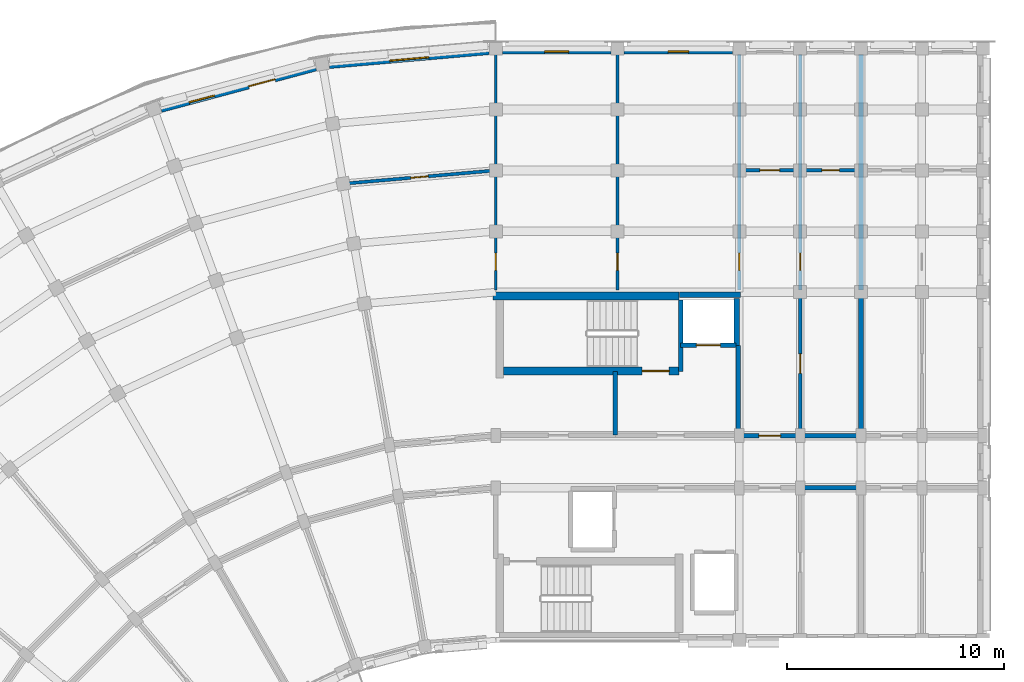
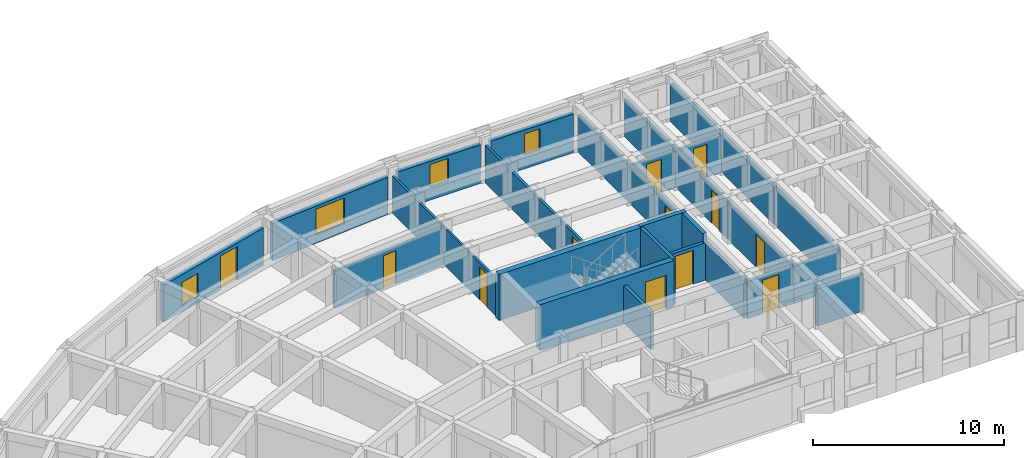
# One storey, part 26 of 53: 25 walls, 12 doors, 4 windows, 16 openings.
"""IFC4 building model written with IfcOpenShell, lengths in metres."""

from ifc_helpers import new_model, si_unit, direction, frame, frame_2d, origin, place, context, subcontext, project, spatial, rectangle, extrude, material, layer, layer_set, type_object, element, fill, save


model = new_model("IFC4")

# Units and contexts
model_context = context("Model", 3, precision=1e-05, world=origin(), true_north=direction((0.0, 1.0)))
body_context = subcontext(model_context, "Body", "Model", "MODEL_VIEW")
ifc_project = project(units=[si_unit("LENGTHUNIT", "METRE"), si_unit("AREAUNIT", "SQUARE_METRE"), si_unit("VOLUMEUNIT", "CUBIC_METRE"), si_unit("PLANEANGLEUNIT", "RADIAN"), si_unit("MASSUNIT", "GRAM", prefix="KILO")], contexts=[model_context])

# Site, building, storey
site_placement = place(None, origin())
site = spatial("IfcSite", under=ifc_project, at=site_placement, CompositionType="ELEMENT")
building_placement = place(site_placement, origin())
building = spatial("IfcBuilding", under=site, at=building_placement, Name="Kiranvali Square Residences", CompositionType="ELEMENT")
storey_placement = place(building_placement, frame((0.0, 0.0, 30.75)))
storey = spatial("IfcBuildingStorey", under=building, at=storey_placement, Name="L09", CompositionType="ELEMENT", Elevation=30.75)

# Wall, opening, door
ifc_material_1 = material(Name="Autoclaved aerated concrete blockwork masonry", Category="masonry")
ifc_layer_1 = layer(ifc_material_1, 0.199951171875)
ifc_layer_set_1 = layer_set([ifc_layer_1], Name="Autoclaved aerated concrete blockwork masonry")
wall_type_1 = type_object("IfcWallType", Name="WL-COR-200", PredefinedType="STANDARD", material=ifc_layer_set_1)
wall_1_placement = place(storey_placement, frame((59.39990234375, 116.0, 0.0), z_axis=(0.0, 0.0, 1.0), x_axis=(1.0, 0.0, 0.0)))
wall_1 = element("IfcWall", 1, at=wall_1_placement, inside=storey, type_object=wall_type_1, Name="L09 architectural wall WL-L09-A-A1CO-0", PredefinedType="STANDARD", context=body_context, shape_type="SweptSolid", body=[
    extrude(rectangle(XDim=2.800048828125, YDim=0.199951171875, at=frame_2d((1.39990234375, 0.0))), origin(), (0.0, 0.0, 1.0), 2.3720703125),
])
opening_1_placement = place(wall_1_placement, frame((0.89990234375, 0.0, 0.0)))
opening_1 = element("IfcOpeningElement", 2, at=opening_1_placement, cuts=wall_1, Name="Opening FD-APT-60", PredefinedType="OPENING", context=body_context, shape_type="SweptSolid", body=[
    extrude(rectangle(XDim=1.0, YDim=2.14990234375, at=frame_2d((0.5, 1.074951171875))), frame((0.0, 0.10986328125, 0.0), z_axis=(0.0, -1.0, 0.0), x_axis=(1.0, 0.0, 0.0)), (0.0, 0.0, 1.0), 0.219970703125),
])
ifc_material_2 = material(Name="Fire-rated acoustic hardwood and mineral-core door assembly", Category="wood")
door_type_1 = type_object("IfcDoorType", Name="DR-APT-1000", OperationType="NOTDEFINED", PredefinedType="DOOR", material=ifc_material_2)
door_1_placement = place(opening_1_placement, frame((1.0, 0.0, 0.0), z_axis=(0.0, 0.0, 1.0), x_axis=(-1.0, 0.0, 0.0)))
door_1 = element("IfcDoor", 3, at=door_1_placement, inside=storey, type_object=door_type_1, Name="L09 door DR-L09-0582 (DR-APT-1000)", OperationType="SINGLE_SWING_RIGHT", OverallHeight=2.14990234375, OverallWidth=1.0, PredefinedType="DOOR", context=body_context, shape_type="SweptSolid", body=[
    extrude(rectangle(XDim=1.0, YDim=2.14990234375, at=frame_2d((0.5, 1.074951171875))), frame((0.0, 0.02490234375, 0.0), z_axis=(0.0, -1.0, 0.0), x_axis=(1.0, 0.0, 0.0)), (0.0, 0.0, 1.0), 0.050048828125),
])
fill(opening_1, door_1)

# Walls
for number, where, z_axis, x_axis, name in (
    (4, (62.199951171875, 113.60009765625, 0.0), (0.0, 0.0, 1.0), (1.0, 0.0, 0.0), "L09 architectural wall WL-L09-A-A1CI-1"),
    (5, (62.199951171875, 116.0, 0.0), (0.0, 0.0, 1.0), (1.0, 0.0, 0.0), "L09 architectural wall WL-L09-A-A1CO-1"),
):
    element("IfcWall", number, at=place(storey_placement, frame(where, z_axis=z_axis, x_axis=x_axis)), inside=storey, type_object=wall_type_1, Name=name, PredefinedType="STANDARD", context=body_context, shape_type="SweptSolid", body=[
        extrude(rectangle(XDim=2.800048828125, YDim=0.199951171875, at=frame_2d((1.39990234375, 0.0))), origin(), (0.0, 0.0, 1.0), 2.3720703125),
    ])
ifc_layer_2 = layer(ifc_material_1, 0.219970703125)
ifc_layer_set_2 = layer_set([ifc_layer_2], Name="Autoclaved aerated concrete blockwork masonry")
wall_type_2 = type_object("IfcWallType", Name="WL-DEM-220", PredefinedType="STANDARD", material=ifc_layer_set_2)
wall_2_placement = place(storey_placement, frame((65.0, 116.050048828125, 0.0), z_axis=(0.0, 0.0, 1.0), x_axis=(0.0, 1.0, 0.0)))
element("IfcWall", 6, at=wall_2_placement, inside=storey, type_object=wall_type_2, Name="L09 architectural wall WL-L09-A-A1TO1-2", PredefinedType="STANDARD", context=body_context, shape_type="SweptSolid", body=[
    extrude(rectangle(XDim=6.530029296875, YDim=0.219970703125, at=frame_2d((3.26513671875, 0.0))), origin(), (0.0, 0.0, 1.0), 2.3720703125),
])
wall_3_placement = place(storey_placement, frame((65.0, 122.699951171875, 0.0), z_axis=(0.0, 0.0, 1.0), x_axis=(0.0, 1.0, 0.0)))
element("IfcWall", 7, at=wall_3_placement, inside=storey, type_object=wall_type_2, Name="L09 architectural wall WL-L09-A-A1TO2-2", PredefinedType="STANDARD", context=body_context, shape_type="SweptSolid", body=[
    extrude(rectangle(XDim=10.820068359375, YDim=0.219970703125, at=frame_2d((5.41015625, 0.0))), origin(), (0.0, 0.0, 1.0), 2.3720703125),
])

# Wall, opening, window
ifc_material_3 = material(Name="Breathable lime-rendered clay brick masonry", Category="masonry")
ifc_layer_3 = layer(ifc_material_3, 0.25)
ifc_layer_set_3 = layer_set([ifc_layer_3], Name="Breathable lime-rendered clay brick masonry")
wall_type_3 = type_object("IfcWallType", Name="WL-EXT-250", PredefinedType="STANDARD", material=ifc_layer_set_3)
wall_4_placement = place(storey_placement, frame((47.886474609375, 133.64697265625, 0.0), z_axis=(0.0, 0.0, 1.0), x_axis=(-0.996197565379, -0.087122963287, 0.0)))
wall_4 = element("IfcWall", 8, at=wall_4_placement, inside=storey, type_object=wall_type_3, Name="L09 exterior wall A-L09-CRV-00", PredefinedType="STANDARD", context=body_context, shape_type="SweptSolid", body=[
    extrude(rectangle(XDim=7.3671875, YDim=0.25, at=frame_2d((3.68359375, 0.0))), origin(), (0.0, 0.0, 1.0), 2.3720703125),
])
opening_2_placement = place(wall_4_placement, frame((2.783447265625, 0.0, 0.52197265625)))
opening_2 = element("IfcOpeningElement", 9, at=opening_2_placement, cuts=wall_4, Name="Opening W-04", PredefinedType="OPENING", context=body_context, shape_type="SweptSolid", body=[
    extrude(rectangle(XDim=1.800048828125, YDim=1.64990234375, at=frame_2d((0.89990234375, 0.824951171875))), frame((0.0, 0.135009765625, 0.0), z_axis=(0.0, -1.0, 0.0), x_axis=(1.0, 0.0, 0.0)), (0.0, 0.0, 1.0), 0.27001953125),
])
ifc_material_4 = material(Name="Solar-control low-e double glazing", Category="glass")
window_type_1 = type_object("IfcWindowType", Name="WIN-RES-1800x1650", PartitioningType="DOUBLE_PANEL_VERTICAL", PredefinedType="WINDOW", material=ifc_material_4)
window_1_placement = place(opening_2_placement, origin())
window_1 = element("IfcWindow", 10, at=window_1_placement, inside=storey, type_object=window_type_1, Name="L09 recessed window A-L09-CRV-00", OverallHeight=1.64990234375, OverallWidth=1.800048828125, PartitioningType="DOUBLE_PANEL_VERTICAL", PredefinedType="WINDOW", context=body_context, shape_type="SweptSolid", body=[
    extrude(rectangle(XDim=1.800048828125, YDim=1.64990234375, at=frame_2d((0.89990234375, 0.824951171875))), frame((0.0, 0.030029296875, 0.0), z_axis=(0.0, -1.0, 0.0), x_axis=(1.0, 0.0, 0.0)), (0.0, 0.0, 1.0), 0.06005859375),
])
fill(opening_2, window_1)

# Wall, openings, door, window
wall_5_placement = place(storey_placement, frame((39.929931640625, 132.896240234375, 0.0), z_axis=(0.0, 0.0, 1.0), x_axis=(-0.965925122991, -0.258821669831, 0.0)))
wall_5 = element("IfcWall", 11, at=wall_5_placement, inside=storey, type_object=wall_type_3, Name="L09 exterior wall A-L09-CRV-01", PredefinedType="STANDARD", context=body_context, shape_type="SweptSolid", body=[
    extrude(rectangle(XDim=7.366943359375, YDim=0.25, at=frame_2d((3.68359375, 0.0))), origin(), (0.0, 0.0, 1.0), 2.3720703125),
])
opening_3_placement = place(wall_5_placement, frame((4.83984375, 0.0, 0.3720703125)))
opening_3 = element("IfcOpeningElement", 12, at=opening_3_placement, cuts=wall_5, Name="Opening W-06", PredefinedType="OPENING", context=body_context, shape_type="SweptSolid", body=[
    extrude(rectangle(XDim=1.199951171875, YDim=1.5, at=frame_2d((0.60009765625, 0.75))), frame((0.0, 0.135009765625, 0.0), z_axis=(0.0, -1.0, 0.0), x_axis=(1.0, 0.0, 0.0)), (0.0, 0.0, 1.0), 0.27001953125),
])
opening_4_placement = place(wall_5_placement, frame((1.948486328125, 0.0, 0.0)))
opening_4 = element("IfcOpeningElement", 13, at=opening_4_placement, cuts=wall_5, Name="Opening ED-BAL-2", PredefinedType="OPENING", context=body_context, shape_type="SweptSolid", body=[
    extrude(rectangle(XDim=1.260009765625, YDim=2.14990234375, at=frame_2d((0.6298828125, 1.074951171875))), frame((0.0, 0.135009765625, 0.0), z_axis=(0.0, -1.0, 0.0), x_axis=(1.0, 0.0, 0.0)), (0.0, 0.0, 1.0), 0.27001953125),
])
ifc_material_5 = material(Name="Anodised bronze aluminium framing", Category="aluminium")
door_type_2 = type_object("IfcDoorType", Name="DR-BAL-1260", OperationType="NOTDEFINED", PredefinedType="DOOR", material=ifc_material_5)
door_2_placement = place(opening_4_placement, frame((1.260009765625, 0.0, 0.0), z_axis=(0.0, 0.0, 1.0), x_axis=(-1.0, 0.0, 0.0)))
door_2 = element("IfcDoor", 14, at=door_2_placement, inside=storey, type_object=door_type_2, Name="L09 balcony terrace door", OperationType="SINGLE_SWING_LEFT", OverallHeight=2.14990234375, OverallWidth=1.260009765625, PredefinedType="DOOR", context=body_context, shape_type="SweptSolid", body=[
    extrude(rectangle(XDim=1.260009765625, YDim=2.14990234375, at=frame_2d((0.6298828125, 1.074951171875))), frame((0.0, 0.02490234375, 0.0), z_axis=(0.0, -1.0, 0.0), x_axis=(1.0, 0.0, 0.0)), (0.0, 0.0, 1.0), 0.050048828125),
])
fill(opening_4, door_2)
window_type_2 = type_object("IfcWindowType", Name="WIN-RES-1200x1500", PartitioningType="SINGLE_PANEL", PredefinedType="WINDOW", material=ifc_material_4)
window_2_placement = place(opening_3_placement, origin())
window_2 = element("IfcWindow", 15, at=window_2_placement, inside=storey, type_object=window_type_2, Name="L09 recessed window A-L09-CRV-01", OverallHeight=1.5, OverallWidth=1.199951171875, PartitioningType="SINGLE_PANEL", PredefinedType="WINDOW", context=body_context, shape_type="SweptSolid", body=[
    extrude(rectangle(XDim=1.199951171875, YDim=1.5, at=frame_2d((0.60009765625, 0.75))), frame((0.0, 0.030029296875, 0.0), z_axis=(0.0, -1.0, 0.0), x_axis=(1.0, 0.0, 0.0)), (0.0, 0.0, 1.0), 0.06005859375),
])
fill(opening_3, window_2)

# Wall, opening, window
wall_6_placement = place(storey_placement, frame((48.50341796875, 133.675048828125, 0.0), z_axis=(0.0, 0.0, 1.0), x_axis=(1.0, 0.0, 0.0)))
wall_6 = element("IfcWall", 16, at=wall_6_placement, inside=storey, type_object=wall_type_3, Name="L09 exterior wall A-L09-A1O-0", PredefinedType="STANDARD", context=body_context, shape_type="SweptSolid", body=[
    extrude(rectangle(XDim=4.9931640625, YDim=0.25, at=frame_2d((2.49658203125, 0.0))), origin(), (0.0, 0.0, 1.0), 2.471923828125),
])
opening_5_placement = place(wall_6_placement, frame((1.946533203125, 0.0, 0.822021484375)))
opening_5 = element("IfcOpeningElement", 17, at=opening_5_placement, cuts=wall_6, Name="Opening W-15", PredefinedType="OPENING", context=body_context, shape_type="SweptSolid", body=[
    extrude(rectangle(XDim=1.10009765625, YDim=1.449951171875, at=frame_2d((0.550048828125, 0.72509765625))), frame((0.0, 0.135009765625, 0.0), z_axis=(0.0, -1.0, 0.0), x_axis=(1.0, 0.0, 0.0)), (0.0, 0.0, 1.0), 0.27001953125),
])
window_type_3 = type_object("IfcWindowType", Name="WIN-RES-1100x1450", PartitioningType="SINGLE_PANEL", PredefinedType="WINDOW", material=ifc_material_4)
window_3_placement = place(opening_5_placement, origin())
window_3 = element("IfcWindow", 18, at=window_3_placement, inside=storey, type_object=window_type_3, Name="L09 recessed window A-L09-A1O-0", OverallHeight=1.449951171875, OverallWidth=1.10009765625, PartitioningType="SINGLE_PANEL", PredefinedType="WINDOW", context=body_context, shape_type="SweptSolid", body=[
    extrude(rectangle(XDim=1.10009765625, YDim=1.449951171875, at=frame_2d((0.550048828125, 0.72509765625))), frame((0.0, 0.030029296875, 0.0), z_axis=(0.0, -1.0, 0.0), x_axis=(1.0, 0.0, 0.0)), (0.0, 0.0, 1.0), 0.06005859375),
])
fill(opening_5, window_3)

wall_7_placement = place(storey_placement, frame((54.103515625, 133.675048828125, 0.0), z_axis=(0.0, 0.0, 1.0), x_axis=(1.0, 0.0, 0.0)))
wall_7 = element("IfcWall", 19, at=wall_7_placement, inside=storey, type_object=wall_type_3, Name="L09 exterior wall A-L09-A1O-1", PredefinedType="STANDARD", context=body_context, shape_type="SweptSolid", body=[
    extrude(rectangle(XDim=4.992919921875, YDim=0.25, at=frame_2d((2.49658203125, 0.0))), origin(), (0.0, 0.0, 1.0), 2.471923828125),
])
opening_6_placement = place(wall_7_placement, frame((2.021484375, 0.0, 0.8798828125)))
opening_6 = element("IfcOpeningElement", 20, at=opening_6_placement, cuts=wall_7, Name="Opening W-16", PredefinedType="OPENING", context=body_context, shape_type="SweptSolid", body=[
    extrude(rectangle(XDim=0.949951171875, YDim=1.35009765625, at=frame_2d((0.47509765625, 0.675048828125))), frame((0.0, 0.135009765625, 0.0), z_axis=(0.0, -1.0, 0.0), x_axis=(1.0, 0.0, 0.0)), (0.0, 0.0, 1.0), 0.27001953125),
])
window_type_4 = type_object("IfcWindowType", Name="WIN-RES-950x1350", PartitioningType="SINGLE_PANEL", PredefinedType="WINDOW", material=ifc_material_4)
window_4_placement = place(opening_6_placement, origin())
window_4 = element("IfcWindow", 21, at=window_4_placement, inside=storey, type_object=window_type_4, Name="L09 recessed window A-L09-A1O-1", OverallHeight=1.35009765625, OverallWidth=0.949951171875, PartitioningType="SINGLE_PANEL", PredefinedType="WINDOW", context=body_context, shape_type="SweptSolid", body=[
    extrude(rectangle(XDim=0.949951171875, YDim=1.35009765625, at=frame_2d((0.47509765625, 0.675048828125))), frame((0.0, 0.030029296875, 0.0), z_axis=(0.0, -1.0, 0.0), x_axis=(1.0, 0.0, 0.0)), (0.0, 0.0, 1.0), 0.06005859375),
])
fill(opening_6, window_4)

# Walls
ifc_layer_4 = layer(ifc_material_1, 0.199951171875)
ifc_layer_set_4 = layer_set([ifc_layer_4], Name="Autoclaved aerated concrete blockwork masonry")
wall_type_4 = type_object("IfcWallType", Name="WL-FFL-200", PredefinedType="STANDARD", material=ifc_layer_set_4)
wall_8_placement = place(storey_placement, frame((53.699951171875, 116.02001953125, 0.0), z_axis=(0.0, 0.0, 1.0), x_axis=(0.0, 1.0, 0.0)))
element("IfcWall", 22, at=wall_8_placement, inside=storey, type_object=wall_type_4, Name="L09 architectural wall WL-L09-A-FF-DIV", PredefinedType="STANDARD", context=body_context, shape_type="SweptSolid", body=[
    extrude(rectangle(XDim=2.929931640625, YDim=0.199951171875, at=frame_2d((1.46484375, 0.0))), origin(), (0.0, 0.0, 1.0), 2.3720703125),
])
wall_9_placement = place(storey_placement, frame((59.35009765625, 116.02001953125, 0.0), z_axis=(0.0, 0.0, 1.0), x_axis=(0.0, 1.0, 0.0)))
element("IfcWall", 23, at=wall_9_placement, inside=storey, type_object=wall_type_4, Name="L09 architectural wall WL-L09-A-FF-END", PredefinedType="STANDARD", context=body_context, shape_type="SweptSolid", body=[
    extrude(rectangle(XDim=4.1298828125, YDim=0.199951171875, at=frame_2d((2.06494140625, 0.0))), origin(), (0.0, 0.0, 1.0), 2.3720703125),
])

# Wall, opening, door
wall_10_placement = place(storey_placement, frame((56.699951171875, 120.14990234375, 0.0), z_axis=(0.0, 0.0, 1.0), x_axis=(1.0, 0.0, 0.0)))
wall_10 = element("IfcWall", 24, at=wall_10_placement, inside=storey, type_object=wall_type_4, Name="L09 architectural wall WL-L09-A-FF-LFT", PredefinedType="STANDARD", context=body_context, shape_type="SweptSolid", body=[
    extrude(rectangle(XDim=2.550048828125, YDim=0.199951171875, at=frame_2d((1.27490234375, 0.0))), origin(), (0.0, 0.0, 1.0), 2.3720703125),
])
opening_7_placement = place(wall_10_placement, frame((0.72509765625, 0.0, 0.0)))
opening_7 = element("IfcOpeningElement", 25, at=opening_7_placement, cuts=wall_10, Name="Opening LD-FF-110", PredefinedType="OPENING", context=body_context, shape_type="SweptSolid", body=[
    extrude(rectangle(XDim=1.10009765625, YDim=2.14990234375, at=frame_2d((0.550048828125, 1.074951171875))), frame((0.0, 0.10986328125, 0.0), z_axis=(0.0, -1.0, 0.0), x_axis=(1.0, 0.0, 0.0)), (0.0, 0.0, 1.0), 0.219970703125),
])
door_type_3 = type_object("IfcDoorType", Name="DR-LIFT-FF-1100", OperationType="SLIDING_TO_LEFT", PredefinedType="DOOR", material=ifc_material_2)
door_3_placement = place(opening_7_placement, origin())
door_3 = element("IfcDoor", 26, at=door_3_placement, inside=storey, type_object=door_type_3, Name="L09 door DR-L09-0570 (DR-LIFT-FF-1100)", OperationType="SLIDING_TO_LEFT", OverallHeight=2.14990234375, OverallWidth=1.10009765625, PredefinedType="DOOR", context=body_context, shape_type="SweptSolid", body=[
    extrude(rectangle(XDim=1.10009765625, YDim=2.14990234375, at=frame_2d((0.550048828125, 1.074951171875))), frame((0.0, 0.02490234375, 0.0), z_axis=(0.0, -1.0, 0.0), x_axis=(1.0, 0.0, 0.0)), (0.0, 0.0, 1.0), 0.050048828125),
])
fill(opening_7, door_3)

ifc_material_6 = material(Name="Acoustic gypsum board drylined partition", Category="gypsum")
ifc_layer_5 = layer(ifc_material_6, 0.125)
ifc_layer_set_5 = layer_set([ifc_layer_5], Name="Acoustic gypsum board drylined partition")
wall_type_5 = type_object("IfcWallType", Name="WL-PRT-125", PredefinedType="PARTITIONING", material=ifc_layer_set_5)
wall_11_placement = place(storey_placement, frame((48.199951171875, 122.699951171875, 0.0), z_axis=(0.0, 0.0, 1.0), x_axis=(0.0, 1.0, 0.0)))
wall_11 = element("IfcWall", 27, at=wall_11_placement, inside=storey, type_object=wall_type_5, Name="L09 architectural wall WL-L09-A-RADO-0", PredefinedType="PARTITIONING", context=body_context, shape_type="SweptSolid", body=[
    extrude(rectangle(XDim=10.820068359375, YDim=0.125, at=frame_2d((5.41015625, 0.0))), origin(), (0.0, 0.0, 1.0), 2.3720703125),
])
opening_8_placement = place(wall_11_placement, frame((0.8994140625, 0.0, 0.0)))
opening_8 = element("IfcOpeningElement", 28, at=opening_8_placement, cuts=wall_11, Name="Opening ID-WET", PredefinedType="OPENING", context=body_context, shape_type="SweptSolid", body=[
    extrude(rectangle(XDim=0.800048828125, YDim=2.10009765625, at=frame_2d((0.39990234375, 1.050048828125))), frame((0.0, 0.072509765625, 0.0), z_axis=(0.0, -1.0, 0.0), x_axis=(1.0, 0.0, 0.0)), (0.0, 0.0, 1.0), 0.14501953125),
])
ifc_material_7 = material(Name="Solid seasoned teak hardwood joinery", Category="wood")
door_type_4 = type_object("IfcDoorType", Name="DR-WET-800", OperationType="NOTDEFINED", PredefinedType="DOOR", material=ifc_material_7)
door_4_placement = place(opening_8_placement, origin())
door_4 = element("IfcDoor", 29, at=door_4_placement, inside=storey, type_object=door_type_4, Name="L09 door DR-L09-0595 (DR-WET-800)", OperationType="SINGLE_SWING_LEFT", OverallHeight=2.10009765625, OverallWidth=0.800048828125, PredefinedType="DOOR", context=body_context, shape_type="SweptSolid", body=[
    extrude(rectangle(XDim=0.800048828125, YDim=2.10009765625, at=frame_2d((0.39990234375, 1.050048828125))), frame((0.0, 0.02490234375, 0.0), z_axis=(0.0, -1.0, 0.0), x_axis=(1.0, 0.0, 0.0)), (0.0, 0.0, 1.0), 0.050048828125),
])
fill(opening_8, door_4)

ifc_layer_6 = layer(ifc_material_6, 0.14990234375)
ifc_layer_set_6 = layer_set([ifc_layer_6], Name="Acoustic gypsum board drylined partition")
wall_type_6 = type_object("IfcWallType", Name="WL-PRT-150", PredefinedType="PARTITIONING", material=ifc_layer_set_6)
wall_12_placement = place(storey_placement, frame((53.800048828125, 122.699951171875, 0.0), z_axis=(0.0, 0.0, 1.0), x_axis=(0.0, 1.0, 0.0)))
wall_12 = element("IfcWall", 30, at=wall_12_placement, inside=storey, type_object=wall_type_6, Name="L09 architectural wall WL-L09-A-CF-MID", PredefinedType="PARTITIONING", context=body_context, shape_type="SweptSolid", body=[
    extrude(rectangle(XDim=10.820068359375, YDim=0.14990234375, at=frame_2d((5.41015625, 0.0))), origin(), (0.0, 0.0, 1.0), 2.3720703125),
])
opening_9_placement = place(wall_12_placement, frame((0.8994140625, 0.0, 0.0)))
opening_9 = element("IfcOpeningElement", 31, at=opening_9_placement, cuts=wall_12, Name="Opening ID-WET", PredefinedType="OPENING", context=body_context, shape_type="SweptSolid", body=[
    extrude(rectangle(XDim=0.800048828125, YDim=2.10009765625, at=frame_2d((0.39990234375, 1.050048828125))), frame((0.0, 0.0849609375, 0.0), z_axis=(0.0, -1.0, 0.0), x_axis=(1.0, 0.0, 0.0)), (0.0, 0.0, 1.0), 0.169921875),
])
door_5_placement = place(opening_9_placement, origin())
door_5 = element("IfcDoor", 32, at=door_5_placement, inside=storey, type_object=door_type_4, Name="L09 door DR-L09-0579 (DR-WET-800)", OperationType="SINGLE_SWING_LEFT", OverallHeight=2.10009765625, OverallWidth=0.800048828125, PredefinedType="DOOR", context=body_context, shape_type="SweptSolid", body=[
    extrude(rectangle(XDim=0.800048828125, YDim=2.10009765625, at=frame_2d((0.39990234375, 1.050048828125))), frame((0.0, 0.02490234375, 0.0), z_axis=(0.0, -1.0, 0.0), x_axis=(1.0, 0.0, 0.0)), (0.0, 0.0, 1.0), 0.050048828125),
])
fill(opening_9, door_5)

wall_13_placement = place(storey_placement, frame((59.39990234375, 122.699951171875, 0.0), z_axis=(0.0, 0.0, 1.0), x_axis=(0.0, 1.0, 0.0)))
wall_13 = element("IfcWall", 33, at=wall_13_placement, inside=storey, type_object=wall_type_6, Name="L09 architectural wall WL-L09-A-A1TO2-0", PredefinedType="PARTITIONING", context=body_context, shape_type="SweptSolid", body=[
    extrude(rectangle(XDim=10.820068359375, YDim=0.14990234375, at=frame_2d((5.41015625, 0.0))), origin(), (0.0, 0.0, 1.0), 2.3720703125),
])
opening_10_placement = place(wall_13_placement, frame((0.8994140625, 0.0, 0.0)))
opening_10 = element("IfcOpeningElement", 34, at=opening_10_placement, cuts=wall_13, Name="Opening ID-WET", PredefinedType="OPENING", context=body_context, shape_type="SweptSolid", body=[
    extrude(rectangle(XDim=0.800048828125, YDim=2.10009765625, at=frame_2d((0.39990234375, 1.050048828125))), frame((0.0, 0.0849609375, 0.0), z_axis=(0.0, -1.0, 0.0), x_axis=(1.0, 0.0, 0.0)), (0.0, 0.0, 1.0), 0.169921875),
])
door_6_placement = place(opening_10_placement, frame((0.800048828125, 0.0, 0.0), z_axis=(0.0, 0.0, 1.0), x_axis=(-1.0, 0.0, 0.0)))
door_6 = element("IfcDoor", 35, at=door_6_placement, inside=storey, type_object=door_type_4, Name="L09 door DR-L09-0588 (DR-WET-800)", OperationType="SINGLE_SWING_RIGHT", OverallHeight=2.10009765625, OverallWidth=0.800048828125, PredefinedType="DOOR", context=body_context, shape_type="SweptSolid", body=[
    extrude(rectangle(XDim=0.800048828125, YDim=2.10009765625, at=frame_2d((0.39990234375, 1.050048828125))), frame((0.0, 0.02490234375, 0.0), z_axis=(0.0, -1.0, 0.0), x_axis=(1.0, 0.0, 0.0)), (0.0, 0.0, 1.0), 0.050048828125),
])
fill(opening_10, door_6)

wall_14_placement = place(storey_placement, frame((62.199951171875, 116.050048828125, 0.0), z_axis=(0.0, 0.0, 1.0), x_axis=(0.0, 1.0, 0.0)))
wall_14 = element("IfcWall", 36, at=wall_14_placement, inside=storey, type_object=wall_type_6, Name="L09 architectural wall WL-L09-A-A1TO1-1", PredefinedType="PARTITIONING", context=body_context, shape_type="SweptSolid", body=[
    extrude(rectangle(XDim=6.530029296875, YDim=0.14990234375, at=frame_2d((3.26513671875, 0.0))), origin(), (0.0, 0.0, 1.0), 2.3720703125),
])
opening_11_placement = place(wall_14_placement, frame((2.81494140625, 0.0, 0.0)))
opening_11 = element("IfcOpeningElement", 37, at=opening_11_placement, cuts=wall_14, Name="Opening ID-1", PredefinedType="OPENING", context=body_context, shape_type="SweptSolid", body=[
    extrude(rectangle(XDim=0.89990234375, YDim=2.10009765625, at=frame_2d((0.449951171875, 1.050048828125))), frame((0.0, 0.0849609375, 0.0), z_axis=(0.0, -1.0, 0.0), x_axis=(1.0, 0.0, 0.0)), (0.0, 0.0, 1.0), 0.169921875),
])
door_type_5 = type_object("IfcDoorType", Name="DR-INT-900", OperationType="NOTDEFINED", PredefinedType="DOOR", material=ifc_material_7)
door_7_placement = place(opening_11_placement, frame((0.89990234375, 0.0, 0.0), z_axis=(0.0, 0.0, 1.0), x_axis=(-1.0, 0.0, 0.0)))
door_7 = element("IfcDoor", 38, at=door_7_placement, inside=storey, type_object=door_type_5, Name="L09 door DR-L09-0590 (DR-INT-900)", OperationType="SINGLE_SWING_RIGHT", OverallHeight=2.10009765625, OverallWidth=0.89990234375, PredefinedType="DOOR", context=body_context, shape_type="SweptSolid", body=[
    extrude(rectangle(XDim=0.89990234375, YDim=2.10009765625, at=frame_2d((0.449951171875, 1.050048828125))), frame((0.0, 0.02490234375, 0.0), z_axis=(0.0, -1.0, 0.0), x_axis=(1.0, 0.0, 0.0)), (0.0, 0.0, 1.0), 0.050048828125),
])
fill(opening_11, door_7)

wall_15_placement = place(storey_placement, frame((62.199951171875, 122.699951171875, 0.0), z_axis=(0.0, 0.0, 1.0), x_axis=(0.0, 1.0, 0.0)))
wall_15 = element("IfcWall", 39, at=wall_15_placement, inside=storey, type_object=wall_type_6, Name="L09 architectural wall WL-L09-A-A1TO2-1", PredefinedType="PARTITIONING", context=body_context, shape_type="SweptSolid", body=[
    extrude(rectangle(XDim=10.820068359375, YDim=0.14990234375, at=frame_2d((5.41015625, 0.0))), origin(), (0.0, 0.0, 1.0), 2.3720703125),
])
opening_12_placement = place(wall_15_placement, frame((0.8994140625, 0.0, 0.0)))
opening_12 = element("IfcOpeningElement", 40, at=opening_12_placement, cuts=wall_15, Name="Opening ID-WET", PredefinedType="OPENING", context=body_context, shape_type="SweptSolid", body=[
    extrude(rectangle(XDim=0.800048828125, YDim=2.10009765625, at=frame_2d((0.39990234375, 1.050048828125))), frame((0.0, 0.0849609375, 0.0), z_axis=(0.0, -1.0, 0.0), x_axis=(1.0, 0.0, 0.0)), (0.0, 0.0, 1.0), 0.169921875),
])
door_8_placement = place(opening_12_placement, origin())
door_8 = element("IfcDoor", 41, at=door_8_placement, inside=storey, type_object=door_type_4, Name="L09 door DR-L09-0591 (DR-WET-800)", OperationType="SINGLE_SWING_LEFT", OverallHeight=2.10009765625, OverallWidth=0.800048828125, PredefinedType="DOOR", context=body_context, shape_type="SweptSolid", body=[
    extrude(rectangle(XDim=0.800048828125, YDim=2.10009765625, at=frame_2d((0.39990234375, 1.050048828125))), frame((0.0, 0.02490234375, 0.0), z_axis=(0.0, -1.0, 0.0), x_axis=(1.0, 0.0, 0.0)), (0.0, 0.0, 1.0), 0.050048828125),
])
fill(opening_12, door_8)

# Walls
ifc_layer_7 = layer(ifc_material_1, 0.199951171875)
ifc_layer_set_7 = layer_set([ifc_layer_7], Name="Autoclaved aerated concrete blockwork masonry")
wall_type_7 = type_object("IfcWallType", Name="WL-SHF-200", PredefinedType="STANDARD", material=ifc_layer_set_7)
wall_16_placement = place(storey_placement, frame((56.699951171875, 118.949951171875, 0.0), z_axis=(0.0, 0.0, 1.0), x_axis=(0.0, 1.0, 0.0)))
element("IfcWall", 42, at=wall_16_placement, inside=storey, type_object=wall_type_7, Name="L09 architectural wall WL-L09-A-FF-SHF", PredefinedType="STANDARD", context=body_context, shape_type="SweptSolid", body=[
    extrude(rectangle(XDim=3.300048828125, YDim=0.199951171875, at=frame_2d((1.64990234375, 0.0))), origin(), (0.0, 0.0, 1.0), 2.929931640625),
])
ifc_material_8 = material(Name="Concrete M45 (45 MPa)", Category="concrete")
ifc_layer_8 = layer(ifc_material_8, 0.25)
ifc_layer_set_8 = layer_set([ifc_layer_8], Name="Concrete M45 (45 MPa)")
wall_type_8 = type_object("IfcWallType", Name="WL-SHR-250", PredefinedType="SHEAR", material=ifc_layer_set_8)
wall_17_placement = place(storey_placement, frame((56.64990234375, 122.47509765625, 0.0), z_axis=(0.0, 0.0, 1.0), x_axis=(1.0, 0.0, 0.0)))
element("IfcWall", 43, at=wall_17_placement, inside=storey, type_object=wall_type_8, Name="Block A core shear wall SW-AFF-BK-L09", PredefinedType="SHEAR", context=body_context, shape_type="SweptSolid", body=[
    extrude(rectangle(XDim=2.800048828125, YDim=0.25, at=frame_2d((1.39990234375, 0.0))), origin(), (0.0, 0.0, 1.0), 2.929931640625),
])
wall_18_placement = place(storey_placement, frame((59.27490234375, 120.14990234375, 0.0), z_axis=(0.0, 0.0, 1.0), x_axis=(0.0, 1.0, 0.0)))
element("IfcWall", 44, at=wall_18_placement, inside=storey, type_object=wall_type_8, Name="Block A core shear wall SW-AFF-SD-L09", PredefinedType="SHEAR", context=body_context, shape_type="SweptSolid", body=[
    extrude(rectangle(XDim=2.150146484375, YDim=0.25, at=frame_2d((1.0751953125, 0.0))), origin(), (0.0, 0.0, 1.0), 2.929931640625),
])
ifc_layer_9 = layer(ifc_material_8, 0.320068359375)
ifc_layer_set_9 = layer_set([ifc_layer_9], Name="Concrete M45 (45 MPa)")
wall_type_9 = type_object("IfcWallType", Name="WL-SHR-320", PredefinedType="SHEAR", material=ifc_layer_set_9)
wall_19_placement = place(storey_placement, frame((48.080078125, 122.425048828125, 0.0), z_axis=(0.0, 0.0, 1.0), x_axis=(1.0, 0.0, 0.0)))
element("IfcWall", 45, at=wall_19_placement, inside=storey, type_object=wall_type_9, Name="Block A core shear wall SW-A1-OUT-L09", PredefinedType="SHEAR", context=body_context, shape_type="SweptSolid", body=[
    extrude(rectangle(XDim=8.544921875, YDim=0.35009765625, at=frame_2d((4.2724609375, 0.0))), origin(), (0.0, 0.0, 1.0), 2.929931640625),
])

# Wall, opening, door
wall_20_placement = place(storey_placement, frame((48.550048828125, 118.97509765625, 0.0), z_axis=(0.0, 0.0, 1.0), x_axis=(1.0, 0.0, 0.0)))
wall_20 = element("IfcWall", 46, at=wall_20_placement, inside=storey, type_object=wall_type_9, Name="Block A core shear wall SW-A1-IN-L09", PredefinedType="SHEAR", context=body_context, shape_type="SweptSolid", body=[
    extrude(rectangle(XDim=8.074951171875, YDim=0.35009765625, at=frame_2d((4.03759765625, 0.0))), origin(), (0.0, 0.0, 1.0), 2.929931640625),
])
opening_13_placement = place(wall_20_placement, frame((6.3798828125, 0.0, 0.0)))
opening_13 = element("IfcOpeningElement", 47, at=opening_13_placement, cuts=wall_20, Name="Opening FD-ST-120", PredefinedType="OPENING", context=body_context, shape_type="SweptSolid", body=[
    extrude(rectangle(XDim=1.239990234375, YDim=2.14990234375, at=frame_2d((0.6201171875, 1.074951171875))), frame((0.0, 0.18505859375, 0.0), z_axis=(0.0, -1.0, 0.0), x_axis=(1.0, 0.0, 0.0)), (0.0, 0.0, 1.0), 0.3701171875),
])
door_type_6 = type_object("IfcDoorType", Name="DR-FD120-1200", OperationType="NOTDEFINED", PredefinedType="DOOR", material=ifc_material_2)
door_9_placement = place(opening_13_placement, origin())
door_9 = element("IfcDoor", 48, at=door_9_placement, inside=storey, type_object=door_type_6, Name="L09 door DR-L09-0571 (DR-FD120-1200)", OperationType="SINGLE_SWING_LEFT", OverallHeight=2.14990234375, OverallWidth=1.239990234375, PredefinedType="DOOR", context=body_context, shape_type="SweptSolid", body=[
    extrude(rectangle(XDim=1.239990234375, YDim=2.14990234375, at=frame_2d((0.6201171875, 1.074951171875))), frame((0.0, 0.02490234375, 0.0), z_axis=(0.0, -1.0, 0.0), x_axis=(1.0, 0.0, 0.0)), (0.0, 0.0, 1.0), 0.050048828125),
])
fill(opening_13, door_9)

ifc_layer_10 = layer(ifc_material_1, 0.14990234375)
ifc_layer_set_10 = layer_set([ifc_layer_10], Name="Autoclaved aerated concrete blockwork masonry")
wall_type_10 = type_object("IfcWallType", Name="WL-WET-150", PredefinedType="PLUMBINGWALL", material=ifc_layer_set_10)
wall_21_placement = place(storey_placement, frame((48.199951171875, 128.199951171875, 0.0), z_axis=(0.0, 0.0, 1.0), x_axis=(-0.996194658198, -0.087156198737, 0.0)))
wall_21 = element("IfcWall", 49, at=wall_21_placement, inside=storey, type_object=wall_type_10, Name="L09 architectural wall WL-L09-A-CWET-0", PredefinedType="PLUMBINGWALL", context=body_context, shape_type="SweptSolid", body=[
    extrude(rectangle(XDim=7.042236328125, YDim=0.14990234375, at=frame_2d((3.52099609375, 0.0))), origin(), (0.0, 0.0, 1.0), 2.3720703125),
])
opening_14_placement = place(wall_21_placement, frame((3.12109375, 0.0, 0.0)))
opening_14 = element("IfcOpeningElement", 50, at=opening_14_placement, cuts=wall_21, Name="Opening ID-WET", PredefinedType="OPENING", context=body_context, shape_type="SweptSolid", body=[
    extrude(rectangle(XDim=0.800048828125, YDim=2.10009765625, at=frame_2d((0.39990234375, 1.050048828125))), frame((0.0, 0.0849609375, 0.0), z_axis=(0.0, -1.0, 0.0), x_axis=(1.0, 0.0, 0.0)), (0.0, 0.0, 1.0), 0.169921875),
])
door_10_placement = place(opening_14_placement, frame((0.800048828125, 0.0, 0.0), z_axis=(0.0, 0.0, 1.0), x_axis=(-1.0, 0.0, 0.0)))
door_10 = element("IfcDoor", 51, at=door_10_placement, inside=storey, type_object=door_type_4, Name="L09 door DR-L09-0608 (DR-WET-800)", OperationType="SINGLE_SWING_RIGHT", OverallHeight=2.10009765625, OverallWidth=0.800048828125, PredefinedType="DOOR", context=body_context, shape_type="SweptSolid", body=[
    extrude(rectangle(XDim=0.800048828125, YDim=2.10009765625, at=frame_2d((0.39990234375, 1.050048828125))), frame((0.0, 0.02490234375, 0.0), z_axis=(0.0, -1.0, 0.0), x_axis=(1.0, 0.0, 0.0)), (0.0, 0.0, 1.0), 0.050048828125),
])
fill(opening_14, door_10)

ifc_layer_11 = layer(ifc_material_1, 0.159912109375)
ifc_layer_set_11 = layer_set([ifc_layer_11], Name="Autoclaved aerated concrete blockwork masonry")
wall_type_11 = type_object("IfcWallType", Name="WL-WET-160", PredefinedType="PLUMBINGWALL", material=ifc_layer_set_11)
wall_22_placement = place(storey_placement, frame((59.47998046875, 128.199951171875, 0.0), z_axis=(0.0, 0.0, 1.0), x_axis=(1.0, 0.0, 0.0)))
wall_22 = element("IfcWall", 52, at=wall_22_placement, inside=storey, type_object=wall_type_11, Name="L09 architectural wall WL-L09-A-A1SP-0", PredefinedType="PLUMBINGWALL", context=body_context, shape_type="SweptSolid", body=[
    extrude(rectangle(XDim=2.64013671875, YDim=0.159912109375, at=frame_2d((1.320068359375, 0.0))), origin(), (0.0, 0.0, 1.0), 2.3720703125),
])
opening_15_placement = place(wall_22_placement, frame((0.8701171875, 0.0, 0.0)))
opening_15 = element("IfcOpeningElement", 53, at=opening_15_placement, cuts=wall_22, Name="Opening ID-1", PredefinedType="OPENING", context=body_context, shape_type="SweptSolid", body=[
    extrude(rectangle(XDim=0.89990234375, YDim=2.10009765625, at=frame_2d((0.449951171875, 1.050048828125))), frame((0.0, 0.08984375, 0.0), z_axis=(0.0, -1.0, 0.0), x_axis=(1.0, 0.0, 0.0)), (0.0, 0.0, 1.0), 0.179931640625),
])
door_11_placement = place(opening_15_placement, origin())
door_11 = element("IfcDoor", 54, at=door_11_placement, inside=storey, type_object=door_type_5, Name="L09 door DR-L09-0581 (DR-INT-900)", OperationType="SINGLE_SWING_LEFT", OverallHeight=2.10009765625, OverallWidth=0.89990234375, PredefinedType="DOOR", context=body_context, shape_type="SweptSolid", body=[
    extrude(rectangle(XDim=0.89990234375, YDim=2.10009765625, at=frame_2d((0.449951171875, 1.050048828125))), frame((0.0, 0.02490234375, 0.0), z_axis=(0.0, -1.0, 0.0), x_axis=(1.0, 0.0, 0.0)), (0.0, 0.0, 1.0), 0.050048828125),
])
fill(opening_15, door_11)

wall_23_placement = place(storey_placement, frame((62.280029296875, 128.199951171875, 0.0), z_axis=(0.0, 0.0, 1.0), x_axis=(1.0, 0.0, 0.0)))
wall_23 = element("IfcWall", 55, at=wall_23_placement, inside=storey, type_object=wall_type_11, Name="L09 architectural wall WL-L09-A-A1SP-1", PredefinedType="PLUMBINGWALL", context=body_context, shape_type="SweptSolid", body=[
    extrude(rectangle(XDim=2.639892578125, YDim=0.159912109375, at=frame_2d((1.31982421875, 0.0))), origin(), (0.0, 0.0, 1.0), 2.3720703125),
])
opening_16_placement = place(wall_23_placement, frame((0.919921875, 0.0, 0.0)))
opening_16 = element("IfcOpeningElement", 56, at=opening_16_placement, cuts=wall_23, Name="Opening ID-WET", PredefinedType="OPENING", context=body_context, shape_type="SweptSolid", body=[
    extrude(rectangle(XDim=0.800048828125, YDim=2.10009765625, at=frame_2d((0.39990234375, 1.050048828125))), frame((0.0, 0.08984375, 0.0), z_axis=(0.0, -1.0, 0.0), x_axis=(1.0, 0.0, 0.0)), (0.0, 0.0, 1.0), 0.179931640625),
])
door_12_placement = place(opening_16_placement, origin())
door_12 = element("IfcDoor", 57, at=door_12_placement, inside=storey, type_object=door_type_4, Name="L09 door DR-L09-0583 (DR-WET-800)", OperationType="SINGLE_SWING_LEFT", OverallHeight=2.10009765625, OverallWidth=0.800048828125, PredefinedType="DOOR", context=body_context, shape_type="SweptSolid", body=[
    extrude(rectangle(XDim=0.800048828125, YDim=2.10009765625, at=frame_2d((0.39990234375, 1.050048828125))), frame((0.0, 0.02490234375, 0.0), z_axis=(0.0, -1.0, 0.0), x_axis=(1.0, 0.0, 0.0)), (0.0, 0.0, 1.0), 0.050048828125),
])
fill(opening_16, door_12)

save(model, "model.ifc")
